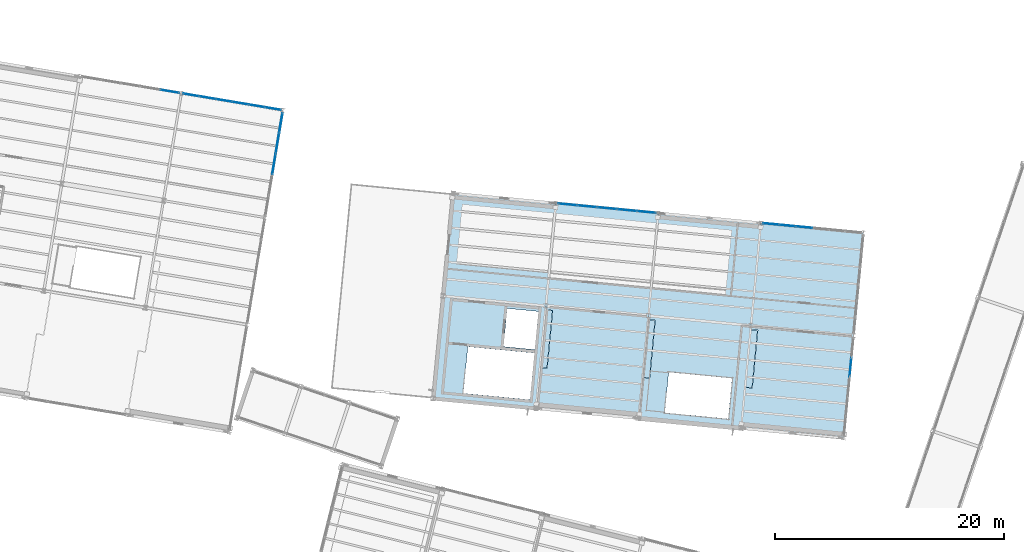
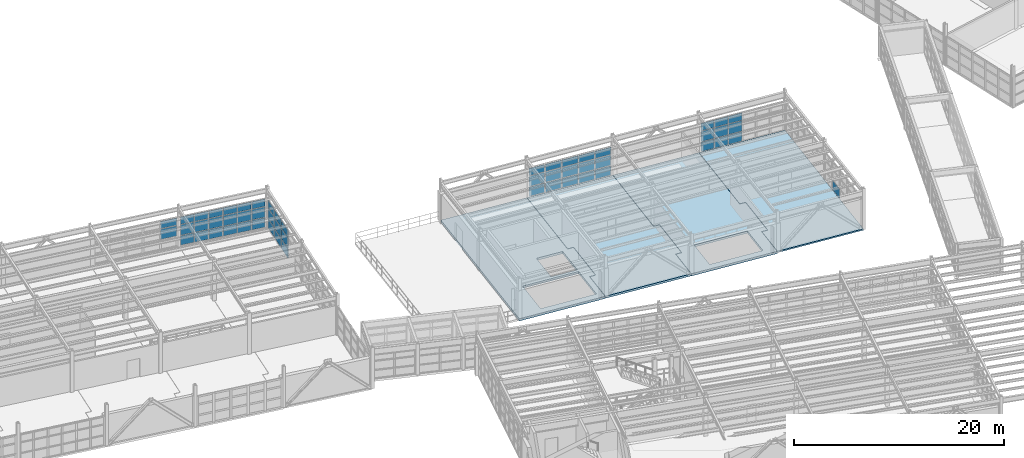
# One storey, part 68 of 102: 54 plates, 4 slabs, 6 elements without a shape of their own.
"""IFC4 building model written with IfcOpenShell, lengths in metres."""

from ifc_helpers import new_model, si_unit, direction, frame, origin, origin_2d, place, context, subcontext, project, spatial, polyline, rectangle, outline, extrude, material, layer, layer_set, type_object, element, aggregate, save


model = new_model("IFC4")

# Units and contexts
model_context = context("Model", 3, precision=1e-05, world=origin(), true_north=direction((0.0, 1.0)))
body_context = subcontext(model_context, "Body", "Model", "MODEL_VIEW")
ifc_project = project(units=[si_unit("LENGTHUNIT", "METRE"), si_unit("AREAUNIT", "SQUARE_METRE"), si_unit("VOLUMEUNIT", "CUBIC_METRE"), si_unit("PLANEANGLEUNIT", "RADIAN"), si_unit("MASSUNIT", "GRAM", prefix="KILO")], contexts=[model_context])

# Site, building, storey
site_placement = place(None, origin())
site = spatial("IfcSite", under=ifc_project, at=site_placement, CompositionType="ELEMENT")
building_placement = place(site_placement, origin())
building = spatial("IfcBuilding", under=site, at=building_placement, Name="Vireo Bluff Cable Station", CompositionType="ELEMENT")
storey_placement = place(building_placement, frame((0.0, 0.0, 9.60009765625)))
storey = spatial("IfcBuildingStorey", under=building, at=storey_placement, Name="L02", CompositionType="ELEMENT", Elevation=9.60009765625)

# Curtain wall, plate
ifc_material_1 = material(Name="Anodized Aluminium 6063-T6", Category="aluminium")
ifc_layer_1 = layer(ifc_material_1, 0.179931640625, Name="Anodized Aluminium 6063-T6")
ifc_layer_set_1 = layer_set([ifc_layer_1], Name="Anodized Aluminium 6063-T6")
curtain_wall_type_1 = type_object("IfcCurtainWallType", Name="CW-UNIT-1650", PredefinedType="USERDEFINED", material=ifc_layer_set_1)
curtain_wall_1_placement = place(storey_placement, origin())
curtain_wall_1 = element("IfcCurtainWall", 1, at=curtain_wall_1_placement, inside=storey, type_object=curtain_wall_type_1, Name="V3 L02 east curtain wall CW-080", ObjectType="UNITISED CURTAIN WALL", PredefinedType="USERDEFINED")
ifc_material_2 = material(Name="Laminated Low-E Insulated Glass", Category="glass")
ifc_layer_2 = layer(ifc_material_2, 0.028076171875, Name="Laminated Low-E Insulated Glass")
ifc_layer_set_2 = layer_set([ifc_layer_2], Name="Laminated Low-E Insulated Glass")
plate_type_1 = type_object("IfcPlateType", Name="CWP-28-1", PredefinedType="CURTAIN_PANEL", material=ifc_layer_set_2)
plate_1_placement = place(storey_placement, frame((104.169677734375, 69.755859375, 0.06494140625), z_axis=(0.0, 0.0, 1.0), x_axis=(-0.095845757211, -0.995396197916, 0.0)))
plate_1 = element("IfcPlate", 2, at=plate_1_placement, type_object=plate_type_1, Name="CW-080 panel 2.1", PredefinedType="CURTAIN_PANEL", context=body_context, shape_type="SweptSolid", body=[
    extrude(rectangle(XDim=1.668701171875, YDim=0.028076171875, at=origin_2d()), origin(), (0.0, 0.0, 1.0), 1.092529296875),
])
aggregate(curtain_wall_1, [plate_1])

# Curtain wall, plates
curtain_wall_2_placement = place(storey_placement, origin())
curtain_wall_2 = element("IfcCurtainWall", 3, at=curtain_wall_2_placement, inside=storey, type_object=curtain_wall_type_1, Name="V4 L02 north curtain wall CW-101", ObjectType="UNITISED CURTAIN WALL", PredefinedType="USERDEFINED")
ifc_layer_3 = layer(ifc_material_2, 0.031982421875, Name="Laminated Low-E Insulated Glass")
ifc_layer_set_3 = layer_set([ifc_layer_3], Name="Laminated Low-E Insulated Glass")
plate_type_2 = type_object("IfcPlateType", Name="CWP-32-2", PredefinedType="CURTAIN_PANEL", material=ifc_layer_set_3)
plate_2_placement = place(storey_placement, frame((44.7021484375, 93.836181640625, 1.227294921875), z_axis=(0.0, 0.0, 1.0), x_axis=(0.986285605556, -0.165047581847, 0.0)))
plate_2 = element("IfcPlate", 4, at=plate_2_placement, type_object=plate_type_2, Name="CW-101 panel 5.2", PredefinedType="CURTAIN_PANEL", context=body_context, shape_type="SweptSolid", body=[
    extrude(rectangle(XDim=1.635986328125, YDim=0.031982421875, at=origin_2d()), origin(), (0.0, 0.0, 1.0), 1.18310546875),
])
plate_3_placement = place(storey_placement, frame((44.7021484375, 93.836181640625, 2.4853515625), z_axis=(0.0, 0.0, 1.0), x_axis=(0.986285605556, -0.165047581847, 0.0)))
plate_3 = element("IfcPlate", 5, at=plate_3_placement, type_object=plate_type_2, Name="CW-101 panel 5.3", PredefinedType="CURTAIN_PANEL", context=body_context, shape_type="SweptSolid", body=[
    extrude(rectangle(XDim=1.635986328125, YDim=0.031982421875, at=origin_2d()), origin(), (0.0, 0.0, 1.0), 0.839599609375),
])
aggregate(curtain_wall_2, [plate_2, plate_3])

curtain_wall_3_placement = place(storey_placement, origin())
curtain_wall_3 = element("IfcCurtainWall", 6, at=curtain_wall_3_placement, inside=storey, type_object=curtain_wall_type_1, Name="V3 L02 north curtain wall CW-077", ObjectType="UNITISED CURTAIN WALL", PredefinedType="USERDEFINED")
ifc_layer_4 = layer(ifc_material_2, 0.035888671875, Name="Laminated Low-E Insulated Glass")
ifc_layer_set_4 = layer_set([ifc_layer_4], Name="Laminated Low-E Insulated Glass")
plate_type_3 = type_object("IfcPlateType", Name="CWP-36-3", PredefinedType="CURTAIN_PANEL", material=ifc_layer_set_4)
plate_4_placement = place(storey_placement, frame((79.462890625, 83.958251953125, 0.0751953125), z_axis=(0.0, 0.0, 1.0), x_axis=(0.995396202347, -0.09584571119, 0.0)))
plate_4 = element("IfcPlate", 7, at=plate_4_placement, type_object=plate_type_3, Name="CW-077 panel 1.1", PredefinedType="CURTAIN_PANEL", context=body_context, shape_type="SweptSolid", body=[
    extrude(rectangle(XDim=1.62451171875, YDim=0.035888671875, at=origin_2d()), origin(), (0.0, 0.0, 1.0), 1.077392578125),
])
plate_5_placement = place(storey_placement, frame((79.462890625, 83.958251953125, 1.227294921875), z_axis=(0.0, 0.0, 1.0), x_axis=(0.995396202347, -0.09584571119, 0.0)))
plate_5 = element("IfcPlate", 8, at=plate_5_placement, type_object=plate_type_3, Name="CW-077 panel 1.2", PredefinedType="CURTAIN_PANEL", context=body_context, shape_type="SweptSolid", body=[
    extrude(rectangle(XDim=1.62451171875, YDim=0.035888671875, at=origin_2d()), origin(), (0.0, 0.0, 1.0), 1.18310546875),
])
plate_6_placement = place(storey_placement, frame((79.462890625, 83.958251953125, 2.4853515625), z_axis=(0.0, 0.0, 1.0), x_axis=(0.995396202347, -0.09584571119, 0.0)))
plate_6 = element("IfcPlate", 9, at=plate_6_placement, type_object=plate_type_3, Name="CW-077 panel 1.3", PredefinedType="CURTAIN_PANEL", context=body_context, shape_type="SweptSolid", body=[
    extrude(rectangle(XDim=1.62451171875, YDim=0.035888671875, at=origin_2d()), origin(), (0.0, 0.0, 1.0), 0.839599609375),
])
plate_7_placement = place(storey_placement, frame((81.173095703125, 83.79345703125, 0.0751953125), z_axis=(0.0, 0.0, 1.0), x_axis=(0.995396202347, -0.09584571119, 0.0)))
plate_7 = element("IfcPlate", 10, at=plate_7_placement, type_object=plate_type_3, Name="CW-077 panel 2.1", PredefinedType="CURTAIN_PANEL", context=body_context, shape_type="SweptSolid", body=[
    extrude(rectangle(XDim=1.662109375, YDim=0.035888671875, at=origin_2d()), origin(), (0.0, 0.0, 1.0), 1.077392578125),
])
plate_8_placement = place(storey_placement, frame((81.173095703125, 83.79345703125, 1.227294921875), z_axis=(0.0, 0.0, 1.0), x_axis=(0.995396202347, -0.09584571119, 0.0)))
plate_8 = element("IfcPlate", 11, at=plate_8_placement, type_object=plate_type_3, Name="CW-077 panel 2.2", PredefinedType="CURTAIN_PANEL", context=body_context, shape_type="SweptSolid", body=[
    extrude(rectangle(XDim=1.662109375, YDim=0.035888671875, at=origin_2d()), origin(), (0.0, 0.0, 1.0), 1.18310546875),
])
plate_9_placement = place(storey_placement, frame((81.173095703125, 83.79345703125, 2.4853515625), z_axis=(0.0, 0.0, 1.0), x_axis=(0.995396202347, -0.09584571119, 0.0)))
plate_9 = element("IfcPlate", 12, at=plate_9_placement, type_object=plate_type_3, Name="CW-077 panel 2.3", PredefinedType="CURTAIN_PANEL", context=body_context, shape_type="SweptSolid", body=[
    extrude(rectangle(XDim=1.662109375, YDim=0.035888671875, at=origin_2d()), origin(), (0.0, 0.0, 1.0), 0.839599609375),
])
plate_10_placement = place(storey_placement, frame((82.902099609375, 83.626953125, 0.0751953125), z_axis=(0.0, 0.0, 1.0), x_axis=(0.995396202347, -0.09584571119, 0.0)))
plate_10 = element("IfcPlate", 13, at=plate_10_placement, type_object=plate_type_3, Name="CW-077 panel 3.1", PredefinedType="CURTAIN_PANEL", context=body_context, shape_type="SweptSolid", body=[
    extrude(rectangle(XDim=1.662109375, YDim=0.035888671875, at=origin_2d()), origin(), (0.0, 0.0, 1.0), 1.077392578125),
])
plate_11_placement = place(storey_placement, frame((82.902099609375, 83.626953125, 1.227294921875), z_axis=(0.0, 0.0, 1.0), x_axis=(0.995396202347, -0.09584571119, 0.0)))
plate_11 = element("IfcPlate", 14, at=plate_11_placement, type_object=plate_type_3, Name="CW-077 panel 3.2", PredefinedType="CURTAIN_PANEL", context=body_context, shape_type="SweptSolid", body=[
    extrude(rectangle(XDim=1.662109375, YDim=0.035888671875, at=origin_2d()), origin(), (0.0, 0.0, 1.0), 1.18310546875),
])
plate_12_placement = place(storey_placement, frame((82.902099609375, 83.626953125, 2.4853515625), z_axis=(0.0, 0.0, 1.0), x_axis=(0.995396202347, -0.09584571119, 0.0)))
plate_12 = element("IfcPlate", 15, at=plate_12_placement, type_object=plate_type_3, Name="CW-077 panel 3.3", PredefinedType="CURTAIN_PANEL", context=body_context, shape_type="SweptSolid", body=[
    extrude(rectangle(XDim=1.662109375, YDim=0.035888671875, at=origin_2d()), origin(), (0.0, 0.0, 1.0), 0.839599609375),
])
plate_13_placement = place(storey_placement, frame((84.631103515625, 83.46044921875, 0.0751953125), z_axis=(0.0, 0.0, 1.0), x_axis=(0.995396202347, -0.09584571119, 0.0)))
plate_13 = element("IfcPlate", 16, at=plate_13_placement, type_object=plate_type_3, Name="CW-077 panel 4.1", PredefinedType="CURTAIN_PANEL", context=body_context, shape_type="SweptSolid", body=[
    extrude(rectangle(XDim=1.662109375, YDim=0.035888671875, at=origin_2d()), origin(), (0.0, 0.0, 1.0), 1.077392578125),
])
plate_14_placement = place(storey_placement, frame((84.631103515625, 83.46044921875, 1.227294921875), z_axis=(0.0, 0.0, 1.0), x_axis=(0.995396202347, -0.09584571119, 0.0)))
plate_14 = element("IfcPlate", 17, at=plate_14_placement, type_object=plate_type_3, Name="CW-077 panel 4.2", PredefinedType="CURTAIN_PANEL", context=body_context, shape_type="SweptSolid", body=[
    extrude(rectangle(XDim=1.662109375, YDim=0.035888671875, at=origin_2d()), origin(), (0.0, 0.0, 1.0), 1.18310546875),
])
plate_15_placement = place(storey_placement, frame((84.631103515625, 83.46044921875, 2.4853515625), z_axis=(0.0, 0.0, 1.0), x_axis=(0.995396202347, -0.09584571119, 0.0)))
plate_15 = element("IfcPlate", 18, at=plate_15_placement, type_object=plate_type_3, Name="CW-077 panel 4.3", PredefinedType="CURTAIN_PANEL", context=body_context, shape_type="SweptSolid", body=[
    extrude(rectangle(XDim=1.662109375, YDim=0.035888671875, at=origin_2d()), origin(), (0.0, 0.0, 1.0), 0.839599609375),
])
plate_16_placement = place(storey_placement, frame((86.341552734375, 83.2958984375, 0.0751953125), z_axis=(0.0, 0.0, 1.0), x_axis=(0.995396202347, -0.09584571119, 0.0)))
plate_16 = element("IfcPlate", 19, at=plate_16_placement, type_object=plate_type_3, Name="CW-077 panel 5.1", PredefinedType="CURTAIN_PANEL", context=body_context, shape_type="SweptSolid", body=[
    extrude(rectangle(XDim=1.62451171875, YDim=0.035888671875, at=origin_2d()), origin(), (0.0, 0.0, 1.0), 1.077392578125),
])
plate_17_placement = place(storey_placement, frame((86.341552734375, 83.2958984375, 1.227294921875), z_axis=(0.0, 0.0, 1.0), x_axis=(0.995396202347, -0.09584571119, 0.0)))
plate_17 = element("IfcPlate", 20, at=plate_17_placement, type_object=plate_type_3, Name="CW-077 panel 5.2", PredefinedType="CURTAIN_PANEL", context=body_context, shape_type="SweptSolid", body=[
    extrude(rectangle(XDim=1.62451171875, YDim=0.035888671875, at=origin_2d()), origin(), (0.0, 0.0, 1.0), 1.18310546875),
])
plate_18_placement = place(storey_placement, frame((86.341552734375, 83.2958984375, 2.4853515625), z_axis=(0.0, 0.0, 1.0), x_axis=(0.995396202347, -0.09584571119, 0.0)))
plate_18 = element("IfcPlate", 21, at=plate_18_placement, type_object=plate_type_3, Name="CW-077 panel 5.3", PredefinedType="CURTAIN_PANEL", context=body_context, shape_type="SweptSolid", body=[
    extrude(rectangle(XDim=1.62451171875, YDim=0.035888671875, at=origin_2d()), origin(), (0.0, 0.0, 1.0), 0.839599609375),
])
aggregate(curtain_wall_3, [plate_4, plate_5, plate_6, plate_7, plate_8, plate_9, plate_10, plate_11, plate_12, plate_13, plate_14, plate_15, plate_16, plate_17, plate_18])

ifc_layer_5 = layer(ifc_material_1, 0.179931640625, Name="Anodized Aluminium 6063-T6")
ifc_layer_set_5 = layer_set([ifc_layer_5], Name="Anodized Aluminium 6063-T6")
curtain_wall_type_2 = type_object("IfcCurtainWallType", Name="CW-UNIT-1400", PredefinedType="USERDEFINED", material=ifc_layer_set_5)
curtain_wall_4_placement = place(storey_placement, origin())
curtain_wall_4 = element("IfcCurtainWall", 22, at=curtain_wall_4_placement, inside=storey, type_object=curtain_wall_type_2, Name="V4 L02 north curtain wall CW-102", ObjectType="UNITISED CURTAIN WALL", PredefinedType="USERDEFINED")
plate_19_placement = place(storey_placement, frame((46.568359375, 93.523681640625, 0.059814453125), z_axis=(0.0, 0.0, 1.0), x_axis=(0.986285589997, -0.16504767482, 0.0)))
plate_19 = element("IfcPlate", 23, at=plate_19_placement, type_object=plate_type_3, Name="CW-102 panel 1.1", PredefinedType="CURTAIN_PANEL", context=body_context, shape_type="SweptSolid", body=[
    extrude(rectangle(XDim=1.3623046875, YDim=0.035888671875, at=origin_2d()), origin(), (0.0, 0.0, 1.0), 1.10009765625),
])
plate_20_placement = place(storey_placement, frame((46.568359375, 93.523681640625, 1.2197265625), z_axis=(0.0, 0.0, 1.0), x_axis=(0.986285589997, -0.16504767482, 0.0)))
plate_20 = element("IfcPlate", 24, at=plate_20_placement, type_object=plate_type_3, Name="CW-102 panel 1.2", PredefinedType="CURTAIN_PANEL", context=body_context, shape_type="SweptSolid", body=[
    extrude(rectangle(XDim=1.3623046875, YDim=0.035888671875, at=origin_2d()), origin(), (0.0, 0.0, 1.0), 1.197998046875),
])
plate_21_placement = place(storey_placement, frame((46.568359375, 93.523681640625, 2.47802734375), z_axis=(0.0, 0.0, 1.0), x_axis=(0.986285589997, -0.16504767482, 0.0)))
plate_21 = element("IfcPlate", 25, at=plate_21_placement, type_object=plate_type_3, Name="CW-102 panel 1.3", PredefinedType="CURTAIN_PANEL", context=body_context, shape_type="SweptSolid", body=[
    extrude(rectangle(XDim=1.3623046875, YDim=0.035888671875, at=origin_2d()), origin(), (0.0, 0.0, 1.0), 0.862060546875),
])
plate_22_placement = place(storey_placement, frame((47.986083984375, 93.28662109375, 0.059814453125), z_axis=(0.0, 0.0, 1.0), x_axis=(0.986285589997, -0.16504767482, 0.0)))
plate_22 = element("IfcPlate", 26, at=plate_22_placement, type_object=plate_type_3, Name="CW-102 panel 2.1", PredefinedType="CURTAIN_PANEL", context=body_context, shape_type="SweptSolid", body=[
    extrude(rectangle(XDim=1.392333984375, YDim=0.035888671875, at=origin_2d()), origin(), (0.0, 0.0, 1.0), 1.10009765625),
])
plate_23_placement = place(storey_placement, frame((47.986083984375, 93.28662109375, 1.2197265625), z_axis=(0.0, 0.0, 1.0), x_axis=(0.986285589997, -0.16504767482, 0.0)))
plate_23 = element("IfcPlate", 27, at=plate_23_placement, type_object=plate_type_3, Name="CW-102 panel 2.2", PredefinedType="CURTAIN_PANEL", context=body_context, shape_type="SweptSolid", body=[
    extrude(rectangle(XDim=1.392333984375, YDim=0.035888671875, at=origin_2d()), origin(), (0.0, 0.0, 1.0), 1.197998046875),
])
plate_24_placement = place(storey_placement, frame((47.986083984375, 93.28662109375, 2.47802734375), z_axis=(0.0, 0.0, 1.0), x_axis=(0.986285589997, -0.16504767482, 0.0)))
plate_24 = element("IfcPlate", 28, at=plate_24_placement, type_object=plate_type_3, Name="CW-102 panel 2.3", PredefinedType="CURTAIN_PANEL", context=body_context, shape_type="SweptSolid", body=[
    extrude(rectangle(XDim=1.392333984375, YDim=0.035888671875, at=origin_2d()), origin(), (0.0, 0.0, 1.0), 0.862060546875),
])
plate_25_placement = place(storey_placement, frame((49.418701171875, 93.046875, 0.059814453125), z_axis=(0.0, 0.0, 1.0), x_axis=(0.986285589997, -0.16504767482, 0.0)))
plate_25 = element("IfcPlate", 29, at=plate_25_placement, type_object=plate_type_3, Name="CW-102 panel 3.1", PredefinedType="CURTAIN_PANEL", context=body_context, shape_type="SweptSolid", body=[
    extrude(rectangle(XDim=1.392333984375, YDim=0.035888671875, at=origin_2d()), origin(), (0.0, 0.0, 1.0), 1.10009765625),
])
plate_26_placement = place(storey_placement, frame((49.418701171875, 93.046875, 1.2197265625), z_axis=(0.0, 0.0, 1.0), x_axis=(0.986285589997, -0.16504767482, 0.0)))
plate_26 = element("IfcPlate", 30, at=plate_26_placement, type_object=plate_type_3, Name="CW-102 panel 3.2", PredefinedType="CURTAIN_PANEL", context=body_context, shape_type="SweptSolid", body=[
    extrude(rectangle(XDim=1.392333984375, YDim=0.035888671875, at=origin_2d()), origin(), (0.0, 0.0, 1.0), 1.197998046875),
])
plate_27_placement = place(storey_placement, frame((49.418701171875, 93.046875, 2.47802734375), z_axis=(0.0, 0.0, 1.0), x_axis=(0.986285589997, -0.16504767482, 0.0)))
plate_27 = element("IfcPlate", 31, at=plate_27_placement, type_object=plate_type_3, Name="CW-102 panel 3.3", PredefinedType="CURTAIN_PANEL", context=body_context, shape_type="SweptSolid", body=[
    extrude(rectangle(XDim=1.392333984375, YDim=0.035888671875, at=origin_2d()), origin(), (0.0, 0.0, 1.0), 0.862060546875),
])
plate_28_placement = place(storey_placement, frame((50.85107421875, 92.80712890625, 0.059814453125), z_axis=(0.0, 0.0, 1.0), x_axis=(0.986285589997, -0.16504767482, 0.0)))
plate_28 = element("IfcPlate", 32, at=plate_28_placement, type_object=plate_type_3, Name="CW-102 panel 4.1", PredefinedType="CURTAIN_PANEL", context=body_context, shape_type="SweptSolid", body=[
    extrude(rectangle(XDim=1.392333984375, YDim=0.035888671875, at=origin_2d()), origin(), (0.0, 0.0, 1.0), 1.10009765625),
])
plate_29_placement = place(storey_placement, frame((50.85107421875, 92.80712890625, 1.2197265625), z_axis=(0.0, 0.0, 1.0), x_axis=(0.986285589997, -0.16504767482, 0.0)))
plate_29 = element("IfcPlate", 33, at=plate_29_placement, type_object=plate_type_3, Name="CW-102 panel 4.2", PredefinedType="CURTAIN_PANEL", context=body_context, shape_type="SweptSolid", body=[
    extrude(rectangle(XDim=1.392333984375, YDim=0.035888671875, at=origin_2d()), origin(), (0.0, 0.0, 1.0), 1.197998046875),
])
plate_30_placement = place(storey_placement, frame((50.85107421875, 92.80712890625, 2.47802734375), z_axis=(0.0, 0.0, 1.0), x_axis=(0.986285589997, -0.16504767482, 0.0)))
plate_30 = element("IfcPlate", 34, at=plate_30_placement, type_object=plate_type_3, Name="CW-102 panel 4.3", PredefinedType="CURTAIN_PANEL", context=body_context, shape_type="SweptSolid", body=[
    extrude(rectangle(XDim=1.392333984375, YDim=0.035888671875, at=origin_2d()), origin(), (0.0, 0.0, 1.0), 0.862060546875),
])
plate_31_placement = place(storey_placement, frame((52.28369140625, 92.5673828125, 0.059814453125), z_axis=(0.0, 0.0, 1.0), x_axis=(0.986285589997, -0.16504767482, 0.0)))
plate_31 = element("IfcPlate", 35, at=plate_31_placement, type_object=plate_type_3, Name="CW-102 panel 5.1", PredefinedType="CURTAIN_PANEL", context=body_context, shape_type="SweptSolid", body=[
    extrude(rectangle(XDim=1.392333984375, YDim=0.035888671875, at=origin_2d()), origin(), (0.0, 0.0, 1.0), 1.10009765625),
])
plate_32_placement = place(storey_placement, frame((52.28369140625, 92.5673828125, 1.2197265625), z_axis=(0.0, 0.0, 1.0), x_axis=(0.986285589997, -0.16504767482, 0.0)))
plate_32 = element("IfcPlate", 36, at=plate_32_placement, type_object=plate_type_3, Name="CW-102 panel 5.2", PredefinedType="CURTAIN_PANEL", context=body_context, shape_type="SweptSolid", body=[
    extrude(rectangle(XDim=1.392333984375, YDim=0.035888671875, at=origin_2d()), origin(), (0.0, 0.0, 1.0), 1.197998046875),
])
plate_33_placement = place(storey_placement, frame((52.28369140625, 92.5673828125, 2.47802734375), z_axis=(0.0, 0.0, 1.0), x_axis=(0.986285589997, -0.16504767482, 0.0)))
plate_33 = element("IfcPlate", 37, at=plate_33_placement, type_object=plate_type_3, Name="CW-102 panel 5.3", PredefinedType="CURTAIN_PANEL", context=body_context, shape_type="SweptSolid", body=[
    extrude(rectangle(XDim=1.392333984375, YDim=0.035888671875, at=origin_2d()), origin(), (0.0, 0.0, 1.0), 0.862060546875),
])
plate_34_placement = place(storey_placement, frame((53.701416015625, 92.330078125, 0.059814453125), z_axis=(0.0, 0.0, 1.0), x_axis=(0.986285589997, -0.16504767482, 0.0)))
plate_34 = element("IfcPlate", 38, at=plate_34_placement, type_object=plate_type_3, Name="CW-102 panel 6.1", PredefinedType="CURTAIN_PANEL", context=body_context, shape_type="SweptSolid", body=[
    extrude(rectangle(XDim=1.3623046875, YDim=0.035888671875, at=origin_2d()), origin(), (0.0, 0.0, 1.0), 1.10009765625),
])
plate_35_placement = place(storey_placement, frame((53.701416015625, 92.330078125, 1.2197265625), z_axis=(0.0, 0.0, 1.0), x_axis=(0.986285589997, -0.16504767482, 0.0)))
plate_35 = element("IfcPlate", 39, at=plate_35_placement, type_object=plate_type_3, Name="CW-102 panel 6.2", PredefinedType="CURTAIN_PANEL", context=body_context, shape_type="SweptSolid", body=[
    extrude(rectangle(XDim=1.3623046875, YDim=0.035888671875, at=origin_2d()), origin(), (0.0, 0.0, 1.0), 1.197998046875),
])
plate_36_placement = place(storey_placement, frame((53.701416015625, 92.330078125, 2.47802734375), z_axis=(0.0, 0.0, 1.0), x_axis=(0.986285589997, -0.16504767482, 0.0)))
plate_36 = element("IfcPlate", 40, at=plate_36_placement, type_object=plate_type_3, Name="CW-102 panel 6.3", PredefinedType="CURTAIN_PANEL", context=body_context, shape_type="SweptSolid", body=[
    extrude(rectangle(XDim=1.3623046875, YDim=0.035888671875, at=origin_2d()), origin(), (0.0, 0.0, 1.0), 0.862060546875),
])
aggregate(curtain_wall_4, [plate_19, plate_20, plate_21, plate_22, plate_23, plate_24, plate_25, plate_26, plate_27, plate_28, plate_29, plate_30, plate_31, plate_32, plate_33, plate_34, plate_35, plate_36])

curtain_wall_5_placement = place(storey_placement, origin())
curtain_wall_5 = element("IfcCurtainWall", 41, at=curtain_wall_5_placement, inside=storey, type_object=curtain_wall_type_2, Name="V3 L02 north curtain wall CW-078", ObjectType="UNITISED CURTAIN WALL", PredefinedType="USERDEFINED")
ifc_material_3 = material(Name="Insulated Spandrel Glass Panel", Category="glass")
ifc_layer_6 = layer(ifc_material_3, 0.0419921875, Name="Insulated Spandrel Glass Panel")
ifc_layer_set_6 = layer_set([ifc_layer_6], Name="Insulated Spandrel Glass Panel")
plate_type_4 = type_object("IfcPlateType", Name="CWP-42-4", PredefinedType="CURTAIN_PANEL", material=ifc_layer_set_6)
plate_37_placement = place(storey_placement, frame((97.234375, 82.2470703125, 0.059814453125), z_axis=(0.0, 0.0, 1.0), x_axis=(0.995396199269, -0.095845743156, 0.0)))
plate_37 = element("IfcPlate", 42, at=plate_37_placement, type_object=plate_type_4, Name="CW-078 panel 1.1", PredefinedType="CURTAIN_PANEL", context=body_context, shape_type="SweptSolid", body=[
    extrude(rectangle(XDim=1.362060546875, YDim=0.0419921875, at=origin_2d()), origin(), (0.0, 0.0, 1.0), 1.10009765625),
])
plate_38_placement = place(storey_placement, frame((97.234375, 82.2470703125, 1.2197265625), z_axis=(0.0, 0.0, 1.0), x_axis=(0.995396199269, -0.095845743156, 0.0)))
plate_38 = element("IfcPlate", 43, at=plate_38_placement, type_object=plate_type_4, Name="CW-078 panel 1.2", PredefinedType="CURTAIN_PANEL", context=body_context, shape_type="SweptSolid", body=[
    extrude(rectangle(XDim=1.362060546875, YDim=0.0419921875, at=origin_2d()), origin(), (0.0, 0.0, 1.0), 1.197998046875),
])
plate_39_placement = place(storey_placement, frame((97.234375, 82.2470703125, 2.47802734375), z_axis=(0.0, 0.0, 1.0), x_axis=(0.995396199269, -0.095845743156, 0.0)))
plate_39 = element("IfcPlate", 44, at=plate_39_placement, type_object=plate_type_4, Name="CW-078 panel 1.3", PredefinedType="CURTAIN_PANEL", context=body_context, shape_type="SweptSolid", body=[
    extrude(rectangle(XDim=1.362060546875, YDim=0.0419921875, at=origin_2d()), origin(), (0.0, 0.0, 1.0), 0.862060546875),
])
plate_40_placement = place(storey_placement, frame((98.664794921875, 82.109130859375, 0.059814453125), z_axis=(0.0, 0.0, 1.0), x_axis=(0.995396199269, -0.095845743156, 0.0)))
plate_40 = element("IfcPlate", 45, at=plate_40_placement, type_object=plate_type_4, Name="CW-078 panel 2.1", PredefinedType="CURTAIN_PANEL", context=body_context, shape_type="SweptSolid", body=[
    extrude(rectangle(XDim=1.39208984375, YDim=0.0419921875, at=origin_2d()), origin(), (0.0, 0.0, 1.0), 1.10009765625),
])
plate_41_placement = place(storey_placement, frame((98.664794921875, 82.109130859375, 1.2197265625), z_axis=(0.0, 0.0, 1.0), x_axis=(0.995396199269, -0.095845743156, 0.0)))
plate_41 = element("IfcPlate", 46, at=plate_41_placement, type_object=plate_type_4, Name="CW-078 panel 2.2", PredefinedType="CURTAIN_PANEL", context=body_context, shape_type="SweptSolid", body=[
    extrude(rectangle(XDim=1.39208984375, YDim=0.0419921875, at=origin_2d()), origin(), (0.0, 0.0, 1.0), 1.197998046875),
])
plate_42_placement = place(storey_placement, frame((98.664794921875, 82.109130859375, 2.47802734375), z_axis=(0.0, 0.0, 1.0), x_axis=(0.995396199269, -0.095845743156, 0.0)))
plate_42 = element("IfcPlate", 47, at=plate_42_placement, type_object=plate_type_4, Name="CW-078 panel 2.3", PredefinedType="CURTAIN_PANEL", context=body_context, shape_type="SweptSolid", body=[
    extrude(rectangle(XDim=1.39208984375, YDim=0.0419921875, at=origin_2d()), origin(), (0.0, 0.0, 1.0), 0.862060546875),
])
plate_43_placement = place(storey_placement, frame((100.1103515625, 81.969970703125, 0.059814453125), z_axis=(0.0, 0.0, 1.0), x_axis=(0.995396199269, -0.095845743156, 0.0)))
plate_43 = element("IfcPlate", 48, at=plate_43_placement, type_object=plate_type_4, Name="CW-078 panel 3.1", PredefinedType="CURTAIN_PANEL", context=body_context, shape_type="SweptSolid", body=[
    extrude(rectangle(XDim=1.39208984375, YDim=0.0419921875, at=origin_2d()), origin(), (0.0, 0.0, 1.0), 1.10009765625),
])
plate_44_placement = place(storey_placement, frame((100.1103515625, 81.969970703125, 1.2197265625), z_axis=(0.0, 0.0, 1.0), x_axis=(0.995396199269, -0.095845743156, 0.0)))
plate_44 = element("IfcPlate", 49, at=plate_44_placement, type_object=plate_type_4, Name="CW-078 panel 3.2", PredefinedType="CURTAIN_PANEL", context=body_context, shape_type="SweptSolid", body=[
    extrude(rectangle(XDim=1.39208984375, YDim=0.0419921875, at=origin_2d()), origin(), (0.0, 0.0, 1.0), 1.197998046875),
])
plate_45_placement = place(storey_placement, frame((100.1103515625, 81.969970703125, 2.47802734375), z_axis=(0.0, 0.0, 1.0), x_axis=(0.995396199269, -0.095845743156, 0.0)))
plate_45 = element("IfcPlate", 50, at=plate_45_placement, type_object=plate_type_4, Name="CW-078 panel 3.3", PredefinedType="CURTAIN_PANEL", context=body_context, shape_type="SweptSolid", body=[
    extrude(rectangle(XDim=1.39208984375, YDim=0.0419921875, at=origin_2d()), origin(), (0.0, 0.0, 1.0), 0.862060546875),
])
aggregate(curtain_wall_5, [plate_37, plate_38, plate_39, plate_40, plate_41, plate_42, plate_43, plate_44, plate_45])

ifc_layer_7 = layer(ifc_material_1, 0.159912109375, Name="Anodized Aluminium 6063-T6")
ifc_layer_set_7 = layer_set([ifc_layer_7], Name="Anodized Aluminium 6063-T6")
curtain_wall_type_3 = type_object("IfcCurtainWallType", Name="CW-STICK-1850", PredefinedType="USERDEFINED", material=ifc_layer_set_7)
curtain_wall_6_placement = place(storey_placement, origin())
curtain_wall_6 = element("IfcCurtainWall", 51, at=curtain_wall_6_placement, inside=storey, type_object=curtain_wall_type_3, Name="V4 L02 east curtain wall CW-103", ObjectType="STICK CURTAIN WALL", PredefinedType="USERDEFINED")
plate_46_placement = place(storey_placement, frame((54.404541015625, 91.093505859375, 0.080078125), z_axis=(0.0, 0.0, 1.0), x_axis=(-0.165047635589, -0.986285596562, 0.0)))
plate_46 = element("IfcPlate", 52, at=plate_46_placement, type_object=plate_type_4, Name="CW-103 panel 1.1", PredefinedType="CURTAIN_PANEL", context=body_context, shape_type="SweptSolid", body=[
    extrude(rectangle(XDim=1.720458984375, YDim=0.0419921875, at=origin_2d()), origin(), (0.0, 0.0, 1.0), 1.070068359375),
])
plate_47_placement = place(storey_placement, frame((54.404541015625, 91.093505859375, 1.22998046875), z_axis=(0.0, 0.0, 1.0), x_axis=(-0.165047635589, -0.986285596562, 0.0)))
plate_47 = element("IfcPlate", 53, at=plate_47_placement, type_object=plate_type_4, Name="CW-103 panel 1.2", PredefinedType="CURTAIN_PANEL", context=body_context, shape_type="SweptSolid", body=[
    extrude(rectangle(XDim=1.720458984375, YDim=0.0419921875, at=origin_2d()), origin(), (0.0, 0.0, 1.0), 1.177978515625),
])
plate_48_placement = place(storey_placement, frame((54.404541015625, 91.093505859375, 2.48779296875), z_axis=(0.0, 0.0, 1.0), x_axis=(-0.165047635589, -0.986285596562, 0.0)))
plate_48 = element("IfcPlate", 54, at=plate_48_placement, type_object=plate_type_4, Name="CW-103 panel 1.3", PredefinedType="CURTAIN_PANEL", context=body_context, shape_type="SweptSolid", body=[
    extrude(rectangle(XDim=1.720458984375, YDim=0.0419921875, at=origin_2d()), origin(), (0.0, 0.0, 1.0), 0.83203125),
])
plate_49_placement = place(storey_placement, frame((54.10400390625, 89.2978515625, 0.080078125), z_axis=(0.0, 0.0, 1.0), x_axis=(-0.165047635589, -0.986285596562, 0.0)))
plate_49 = element("IfcPlate", 55, at=plate_49_placement, type_object=plate_type_4, Name="CW-103 panel 2.1", PredefinedType="CURTAIN_PANEL", context=body_context, shape_type="SweptSolid", body=[
    extrude(rectangle(XDim=1.760498046875, YDim=0.0419921875, at=origin_2d()), origin(), (0.0, 0.0, 1.0), 1.070068359375),
])
plate_50_placement = place(storey_placement, frame((54.10400390625, 89.2978515625, 1.22998046875), z_axis=(0.0, 0.0, 1.0), x_axis=(-0.165047635589, -0.986285596562, 0.0)))
plate_50 = element("IfcPlate", 56, at=plate_50_placement, type_object=plate_type_4, Name="CW-103 panel 2.2", PredefinedType="CURTAIN_PANEL", context=body_context, shape_type="SweptSolid", body=[
    extrude(rectangle(XDim=1.760498046875, YDim=0.0419921875, at=origin_2d()), origin(), (0.0, 0.0, 1.0), 1.177978515625),
])
plate_51_placement = place(storey_placement, frame((54.10400390625, 89.2978515625, 2.48779296875), z_axis=(0.0, 0.0, 1.0), x_axis=(-0.165047635589, -0.986285596562, 0.0)))
plate_51 = element("IfcPlate", 57, at=plate_51_placement, type_object=plate_type_4, Name="CW-103 panel 2.3", PredefinedType="CURTAIN_PANEL", context=body_context, shape_type="SweptSolid", body=[
    extrude(rectangle(XDim=1.760498046875, YDim=0.0419921875, at=origin_2d()), origin(), (0.0, 0.0, 1.0), 0.83203125),
])
plate_52_placement = place(storey_placement, frame((53.80029296875, 87.482666015625, 0.080078125), z_axis=(0.0, 0.0, 1.0), x_axis=(-0.165047635589, -0.986285596562, 0.0)))
plate_52 = element("IfcPlate", 58, at=plate_52_placement, type_object=plate_type_4, Name="CW-103 panel 3.1", PredefinedType="CURTAIN_PANEL", context=body_context, shape_type="SweptSolid", body=[
    extrude(rectangle(XDim=1.760498046875, YDim=0.0419921875, at=origin_2d()), origin(), (0.0, 0.0, 1.0), 1.070068359375),
])
plate_53_placement = place(storey_placement, frame((53.80029296875, 87.482666015625, 1.22998046875), z_axis=(0.0, 0.0, 1.0), x_axis=(-0.165047635589, -0.986285596562, 0.0)))
plate_53 = element("IfcPlate", 59, at=plate_53_placement, type_object=plate_type_4, Name="CW-103 panel 3.2", PredefinedType="CURTAIN_PANEL", context=body_context, shape_type="SweptSolid", body=[
    extrude(rectangle(XDim=1.760498046875, YDim=0.0419921875, at=origin_2d()), origin(), (0.0, 0.0, 1.0), 1.177978515625),
])
plate_54_placement = place(storey_placement, frame((53.80029296875, 87.482666015625, 2.48779296875), z_axis=(0.0, 0.0, 1.0), x_axis=(-0.165047635589, -0.986285596562, 0.0)))
plate_54 = element("IfcPlate", 60, at=plate_54_placement, type_object=plate_type_4, Name="CW-103 panel 3.3", PredefinedType="CURTAIN_PANEL", context=body_context, shape_type="SweptSolid", body=[
    extrude(rectangle(XDim=1.760498046875, YDim=0.0419921875, at=origin_2d()), origin(), (0.0, 0.0, 1.0), 0.83203125),
])
aggregate(curtain_wall_6, [plate_46, plate_47, plate_48, plate_49, plate_50, plate_51, plate_52, plate_53, plate_54])

# Slabs
ifc_material_4 = material(Name="Concrete f'c 40 MPa", Category="concrete")
ifc_layer_8 = layer(ifc_material_4, 0.159912109375, Name="Concrete f'c 40 MPa")
ifc_layer_set_8 = layer_set([ifc_layer_8], Name="Concrete f'c 40 MPa")
slab_type_1 = type_object("IfcSlabType", Name="FLOORSLAB-160", PredefinedType="FLOOR", material=ifc_layer_set_8)
slab_1_placement = place(storey_placement, frame((0.0, 0.0, -0.16015625)))
element("IfcSlab", 61, at=slab_1_placement, inside=storey, type_object=slab_type_1, Name="V3 L02 floor slab bay 4", PredefinedType="FLOOR", context=body_context, shape_type="SweptSolid", body=[
    extrude(outline(polyline([(94.623779296875, 64.4150390625), (103.572265625, 63.553466796875), (105.297607421875, 81.470458984375), (96.348876953125, 82.332275390625), (95.453857421875, 73.03515625), (96.07080078125, 72.975830078125), (95.583984375, 67.919189453125), (94.966796875, 67.978515625), (94.623779296875, 64.4150390625)])), origin(), (0.0, 0.0, 1.0), 0.16015625),
])
ifc_layer_9 = layer(ifc_material_4, 0.239990234375, Name="Concrete f'c 40 MPa")
ifc_layer_set_9 = layer_set([ifc_layer_9], Name="Concrete f'c 40 MPa")
slab_type_2 = type_object("IfcSlabType", Name="FLOORSLAB-240", PredefinedType="FLOOR", material=ifc_layer_set_9)
slab_2_placement = place(storey_placement, frame((0.0, 0.0, -0.239990234375)))
element("IfcSlab", 62, at=slab_2_placement, inside=storey, type_object=slab_type_2, Name="V3 L02 floor slab bay 2", PredefinedType="FLOOR", context=body_context, shape_type="SweptSolid", body=[
    extrude(outline(polyline([(76.70654296875, 66.140380859375), (85.645263671875, 65.279541015625), (85.990234375, 68.863037109375), (86.607421875, 68.8037109375), (87.090576171875, 73.8203125), (86.473388671875, 73.8798828125), (87.37060546875, 83.19677734375), (78.431884765625, 84.057373046875), (77.53662109375, 74.760498046875), (78.15380859375, 74.700927734375), (77.6669921875, 69.644287109375), (77.0498046875, 69.703857421875), (76.70654296875, 66.140380859375)])), origin(), (0.0, 0.0, 1.0), 0.239990234375),
])
ifc_layer_10 = layer(ifc_material_4, 0.260009765625, Name="Concrete f'c 40 MPa")
ifc_layer_set_10 = layer_set([ifc_layer_10], Name="Concrete f'c 40 MPa")
slab_type_3 = type_object("IfcSlabType", Name="FLOORSLAB-260", PredefinedType="FLOOR", material=ifc_layer_set_10)
slab_3_placement = place(storey_placement, frame((0.0, 0.0, -0.260009765625)))
element("IfcSlab", 63, at=slab_3_placement, inside=storey, type_object=slab_type_3, Name="V3 L02 floor slab bay 1", PredefinedType="FLOOR", context=body_context, shape_type="SweptSolid", body=[
    extrude(outline(polyline([(67.738037109375, 67.00390625), (76.686767578125, 66.142333984375), (77.03173828125, 69.7255859375), (77.64892578125, 69.666259765625), (78.1318359375, 74.68310546875), (77.514892578125, 74.742431640625), (78.411865234375, 84.059326171875), (69.46337890625, 84.9208984375), (67.738037109375, 67.00390625)]), holes=[polyline([(70.34423828125, 67.45703125), (70.737060546875, 71.53662109375), (76.55859375, 70.97607421875), (76.165771484375, 66.896484375), (70.34423828125, 67.45703125)]), polyline([(73.851806640625, 71.53955078125), (74.172607421875, 74.87255859375), (76.908447265625, 74.609130859375), (76.58740234375, 71.276123046875), (73.851806640625, 71.53955078125)])]), origin(), (0.0, 0.0, 1.0), 0.260009765625),
])
slab_4_placement = place(storey_placement, frame((0.0, 0.0, -0.260009765625)))
element("IfcSlab", 64, at=slab_4_placement, inside=storey, type_object=slab_type_3, Name="V3 L02 floor slab bay 3", PredefinedType="FLOOR", context=body_context, shape_type="SweptSolid", body=[
    extrude(outline(polyline([(85.665283203125, 65.277587890625), (94.603759765625, 64.4169921875), (94.948974609375, 68.00048828125), (95.56591796875, 67.94091796875), (96.049072265625, 72.957763671875), (95.431884765625, 73.017333984375), (96.3291015625, 82.334228515625), (87.390380859375, 83.19482421875), (86.4951171875, 73.897705078125), (87.1123046875, 73.83837890625), (86.62548828125, 68.78173828125), (86.00830078125, 68.84130859375), (85.665283203125, 65.277587890625)]), holes=[polyline([(87.94287109375, 65.762451171875), (88.283935546875, 69.304443359375), (93.82666015625, 68.770751953125), (93.485595703125, 65.228759765625), (87.94287109375, 65.762451171875)])]), origin(), (0.0, 0.0, 1.0), 0.260009765625),
])

save(model, "model.ifc")
